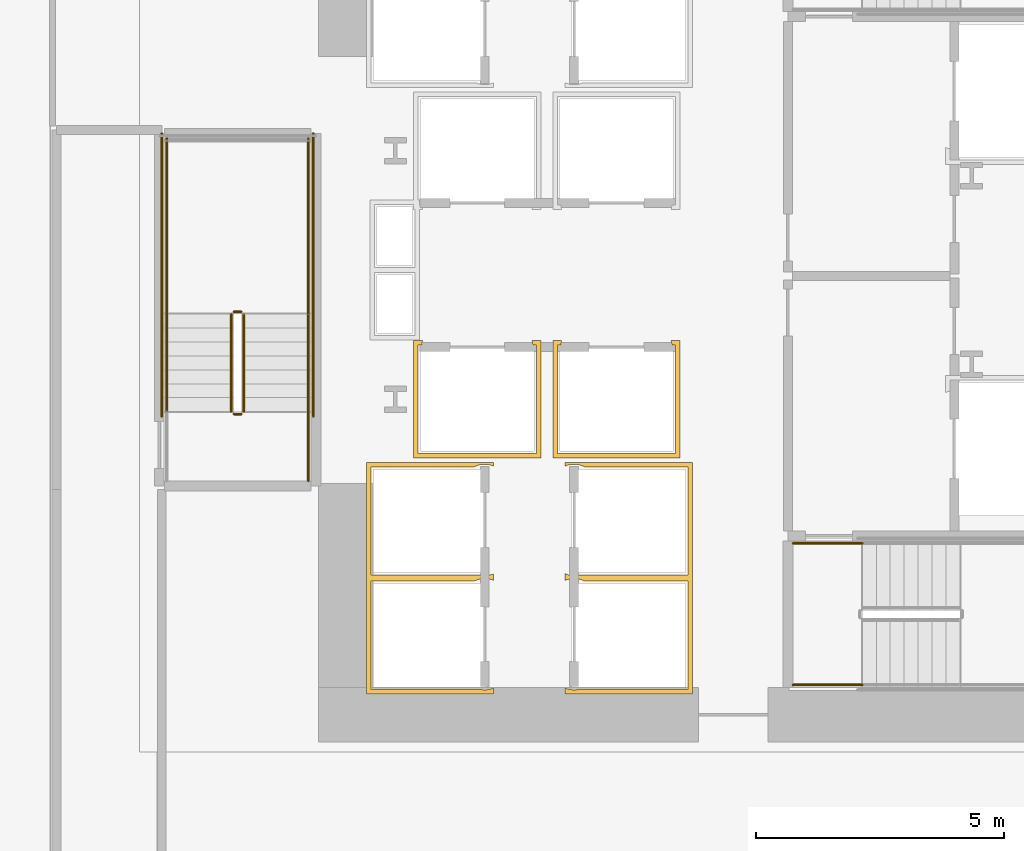
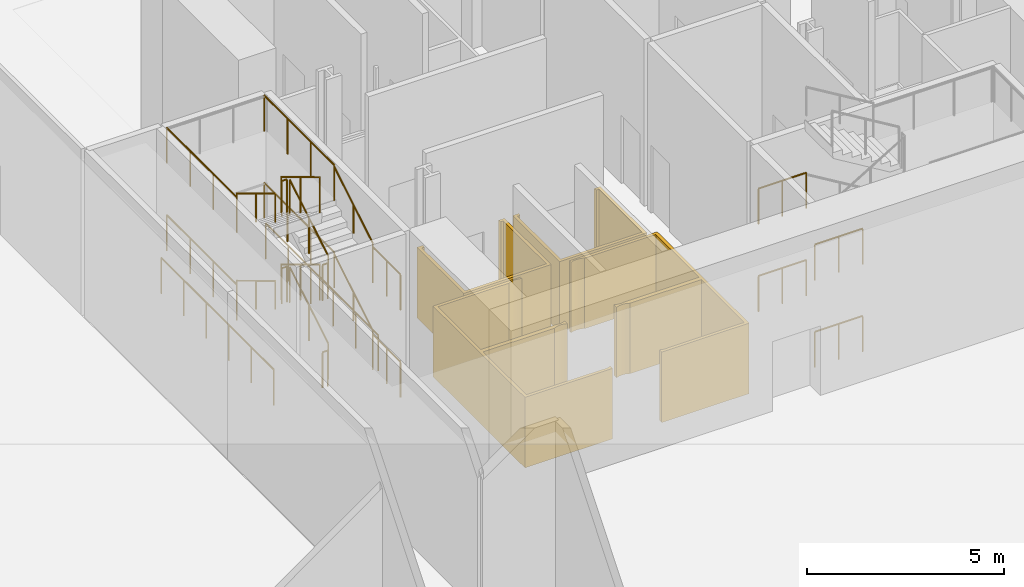
# One storey, part 11 of 18: 24 railings, 4 coverings.
"""IFC4 building model written with IfcOpenShell, lengths in metres."""

from ifc_helpers import new_model, si_unit, direction, frame, origin, origin_2d, place, context, subcontext, project, spatial, polyline, circle, outline, extrude, material, layer, layer_set, type_object, element, save


model = new_model("IFC4")

# Units and contexts
model_context = context("Model", 3, precision=1e-05, world=origin(), true_north=direction((0.0, 1.0)))
body_context = subcontext(model_context, "Body", "Model", "MODEL_VIEW")
ifc_project = project(units=[si_unit("LENGTHUNIT", "METRE"), si_unit("AREAUNIT", "SQUARE_METRE"), si_unit("VOLUMEUNIT", "CUBIC_METRE"), si_unit("PLANEANGLEUNIT", "RADIAN"), si_unit("MASSUNIT", "GRAM", prefix="KILO")], contexts=[model_context])

# Site, building, storey
site_placement = place(None, origin())
site = spatial("IfcSite", under=ifc_project, at=site_placement, CompositionType="ELEMENT")
building_placement = place(site_placement, origin())
building = spatial("IfcBuilding", under=site, at=building_placement, Name="Valkerne Bourse Tower", CompositionType="ELEMENT")
storey_placement = place(building_placement, origin())
storey = spatial("IfcBuildingStorey", under=building, at=storey_placement, Name="L00", CompositionType="ELEMENT", Elevation=0.0)

# Coverings
ifc_material_1 = material(Name="Gypsum Shaftwall Liner Board", Category="gypsum")
ifc_layer = layer(ifc_material_1, 0.080078125)
ifc_layer_set = layer_set([ifc_layer], Name="Gypsum Shaftwall Liner Board")
covering_type = type_object("IfcCoveringType", Name="COV-SHF-CLAD", PredefinedType="CLADDING", material=ifc_layer_set)
covering_1_placement = place(storey_placement, origin())
element("IfcCovering", 1, at=covering_1_placement, inside=storey, type_object=covering_type, Name="L00 Hoistway & Riser Shaftwall Liner 01", PredefinedType="CLADDING", context=body_context, shape_type="SweptSolid", body=[
    extrude(outline(polyline([(38.169921875, 23.1298828125), (40.72998046875, 23.1298828125), (40.72998046875, 23.052001953125), (40.72216796875, 23.0556640625), (40.6806640625, 23.070556640625), (40.6376953125, 23.081298828125), (40.593994140625, 23.087890625), (40.550048828125, 23.090087890625), (40.505859375, 23.087890625), (40.462158203125, 23.081298828125), (40.41943359375, 23.070556640625), (40.377685546875, 23.0556640625), (40.344482421875, 23.0400390625), (38.260009765625, 23.0400390625), (38.260009765625, 20.860107421875), (40.456787109375, 20.860107421875), (40.462158203125, 20.858642578125), (40.505859375, 20.852294921875), (40.550048828125, 20.85009765625), (40.593994140625, 20.852294921875), (40.6376953125, 20.858642578125), (40.6806640625, 20.869384765625), (40.72216796875, 20.88427734375), (40.72998046875, 20.887939453125), (40.72998046875, 20.830078125), (40.72998046875, 20.77001953125), (40.72998046875, 20.752197265625), (40.72216796875, 20.755615234375), (40.6806640625, 20.7705078125), (40.6376953125, 20.781494140625), (40.593994140625, 20.787841796875), (40.550048828125, 20.7900390625), (40.505859375, 20.787841796875), (40.462158203125, 20.781494140625), (40.41943359375, 20.7705078125), (40.377685546875, 20.755615234375), (40.344482421875, 20.739990234375), (38.260009765625, 20.739990234375), (38.260009765625, 18.56005859375), (40.456787109375, 18.56005859375), (40.462158203125, 18.55859375), (40.505859375, 18.55224609375), (40.550048828125, 18.550048828125), (40.593994140625, 18.55224609375), (40.6376953125, 18.55859375), (40.6806640625, 18.5693359375), (40.72216796875, 18.584228515625), (40.72998046875, 18.587890625), (40.72998046875, 18.469970703125), (38.169921875, 18.469970703125), (38.169921875, 20.77001953125), (38.169921875, 20.830078125), (38.169921875, 23.1298828125)])), origin(), (0.0, 0.0, 1.0), 2.179931640625),
])
covering_2_placement = place(storey_placement, origin())
element("IfcCovering", 2, at=covering_2_placement, inside=storey, type_object=covering_type, Name="L00 Hoistway & Riser Shaftwall Liner 02", PredefinedType="CLADDING", context=body_context, shape_type="SweptSolid", body=[
    extrude(outline(polyline([(41.679931640625, 23.219970703125), (39.1201171875, 23.219970703125), (39.1201171875, 25.580078125), (39.29931640625, 25.580078125), (39.28857421875, 25.537841796875), (39.2822265625, 25.494140625), (39.281982421875, 25.489990234375), (39.2099609375, 25.489990234375), (39.2099609375, 23.31005859375), (41.590087890625, 23.31005859375), (41.590087890625, 25.489990234375), (41.51806640625, 25.489990234375), (41.517822265625, 25.494140625), (41.511474609375, 25.537841796875), (41.500732421875, 25.580078125), (41.679931640625, 25.580078125), (41.679931640625, 23.219970703125)])), origin(), (0.0, 0.0, 1.0), 2.179931640625),
])
covering_3_placement = place(storey_placement, origin())
element("IfcCovering", 3, at=covering_3_placement, inside=storey, type_object=covering_type, Name="L00 Hoistway & Riser Shaftwall Liner 03", PredefinedType="CLADDING", context=body_context, shape_type="SweptSolid", body=[
    extrude(outline(polyline([(44.47998046875, 23.219970703125), (41.919921875, 23.219970703125), (41.919921875, 25.580078125), (42.09912109375, 25.580078125), (42.088623046875, 25.537841796875), (42.082275390625, 25.494140625), (42.08203125, 25.489990234375), (42.010009765625, 25.489990234375), (42.010009765625, 23.31005859375), (44.389892578125, 23.31005859375), (44.389892578125, 25.489990234375), (44.318115234375, 25.489990234375), (44.31787109375, 25.494140625), (44.311279296875, 25.537841796875), (44.30078125, 25.580078125), (44.47998046875, 25.580078125), (44.47998046875, 23.219970703125)])), origin(), (0.0, 0.0, 1.0), 2.179931640625),
])
covering_4_placement = place(storey_placement, origin())
element("IfcCovering", 4, at=covering_4_placement, inside=storey, type_object=covering_type, Name="L00 Hoistway & Riser Shaftwall Liner 06", PredefinedType="CLADDING", context=body_context, shape_type="SweptSolid", body=[
    extrude(outline(polyline([(42.169921875, 20.830078125), (42.169921875, 20.887939453125), (42.177734375, 20.88427734375), (42.219482421875, 20.869384765625), (42.26220703125, 20.858642578125), (42.305908203125, 20.852294921875), (42.35009765625, 20.85009765625), (42.39404296875, 20.852294921875), (42.437744140625, 20.858642578125), (42.443115234375, 20.860107421875), (44.639892578125, 20.860107421875), (44.639892578125, 23.0400390625), (42.555419921875, 23.0400390625), (42.522216796875, 23.0556640625), (42.480712890625, 23.070556640625), (42.437744140625, 23.081298828125), (42.39404296875, 23.087890625), (42.35009765625, 23.090087890625), (42.305908203125, 23.087890625), (42.26220703125, 23.081298828125), (42.219482421875, 23.070556640625), (42.177734375, 23.0556640625), (42.169921875, 23.052001953125), (42.169921875, 23.1298828125), (44.72998046875, 23.1298828125), (44.72998046875, 20.830078125), (44.72998046875, 20.77001953125), (44.72998046875, 18.469970703125), (42.169921875, 18.469970703125), (42.169921875, 18.587890625), (42.177734375, 18.584228515625), (42.219482421875, 18.5693359375), (42.26220703125, 18.55859375), (42.305908203125, 18.55224609375), (42.35009765625, 18.550048828125), (42.39404296875, 18.55224609375), (42.437744140625, 18.55859375), (42.443115234375, 18.56005859375), (44.639892578125, 18.56005859375), (44.639892578125, 20.739990234375), (42.555419921875, 20.739990234375), (42.522216796875, 20.755615234375), (42.480712890625, 20.7705078125), (42.437744140625, 20.781494140625), (42.39404296875, 20.787841796875), (42.35009765625, 20.7900390625), (42.305908203125, 20.787841796875), (42.26220703125, 20.781494140625), (42.219482421875, 20.7705078125), (42.177734375, 20.755615234375), (42.169921875, 20.752197265625), (42.169921875, 20.77001953125), (42.169921875, 20.830078125)])), origin(), (0.0, 0.0, 1.0), 2.179931640625),
])

# Railings
ifc_material_2 = material(Name="Galvanised Painted Steel", Category="steel")
railing_type_1 = type_object("IfcRailingType", Name="RLG-ST-GUARD-1120", PredefinedType="GUARDRAIL", material=ifc_material_2)
for number, where, name in (
    (5, (46.75, 18.64990234375, 2.699951171875), "L00 ST-1 stair guard 8"),
    (6, (46.75, 21.5, 2.699951171875), "L00 ST-1 stair guard 9"),
    (7, (46.75, 18.64990234375, 0.0), "L00 ST-1 stair guard 17"),
    (8, (46.75, 21.5, 0.0), "L00 ST-1 stair guard 18"),
):
    element("IfcRailing", number, at=place(storey_placement, frame(where)), inside=storey, type_object=railing_type_1, Name=name, PredefinedType="GUARDRAIL", context=body_context, shape_type="SweptSolid", body=[
        extrude(circle(Radius=0.02392578125, at=origin_2d()), frame((0.0, 0.0, 1.09619140625), z_axis=(1.0, 0.0, 0.0), x_axis=(0.0, 1.0, 0.0)), (0.0, 0.0, 1.0), 1.39990234375),
        extrude(circle(Radius=0.02099609375, at=origin_2d()), origin(), (0.0, 0.0, 1.0), 1.072021484375),
        extrude(circle(Radius=0.02099609375, at=origin_2d()), frame((0.699951171875, 0.0, 0.0)), (0.0, 0.0, 1.0), 1.072021484375),
        extrude(circle(Radius=0.02099609375, at=origin_2d()), frame((1.39990234375, 0.0, 0.0)), (0.0, 0.0, 1.0), 1.072021484375),
    ])
railing_1_placement = place(storey_placement, frame((35.699951171875, 24.14990234375, 0.168701171875)))
element("IfcRailing", 9, at=railing_1_placement, inside=storey, type_object=railing_type_1, Name="L00 ST-3 stair guard 1", PredefinedType="GUARDRAIL", context=body_context, shape_type="SweptSolid", body=[
    extrude(circle(Radius=0.02392578125, at=origin_2d()), frame((0.0, 0.0, 1.09619140625), z_axis=(0.0, 0.856474724393, 0.516188963923), x_axis=(-1.0, 0.0, 0.0)), (0.0, 0.0, 1.0), 2.28857421875),
    extrude(circle(Radius=0.02099609375, at=origin_2d()), origin(), (0.0, 0.0, 1.0), 1.072021484375),
    extrude(circle(Radius=0.02099609375, at=origin_2d()), frame((0.0, 0.97998046875, 0.5908203125)), (0.0, 0.0, 1.0), 1.072021484375),
    extrude(circle(Radius=0.02099609375, at=origin_2d()), frame((0.0, 1.960205078125, 1.181396484375)), (0.0, 0.0, 1.0), 1.072021484375),
])
railing_2_placement = place(storey_placement, frame((35.64990234375, 26.159912109375, 1.35009765625)))
element("IfcRailing", 10, at=railing_2_placement, inside=storey, type_object=railing_type_1, Name="L00 ST-3 stair guard 2", PredefinedType="GUARDRAIL", context=body_context, shape_type="SweptSolid", body=[
    extrude(circle(Radius=0.02392578125, at=origin_2d()), frame((0.0, 0.0, 1.09619140625), z_axis=(-1.0, 0.0, 0.0), x_axis=(0.0, -1.0, 0.0)), (0.0, 0.0, 1.0), 0.14990234375),
    extrude(circle(Radius=0.02099609375, at=origin_2d()), origin(), (0.0, 0.0, 1.0), 1.072021484375),
    extrude(circle(Radius=0.02099609375, at=origin_2d()), frame((-0.14990234375, 0.0, 0.0)), (0.0, 0.0, 1.0), 1.072021484375),
])
for number, where, name in (
    (11, (37.0, 26.110107421875, 1.35009765625), "L00 ST-3 stair guard 3"),
    (12, (34.14990234375, 26.110107421875, 1.35009765625), "L00 ST-3 stair guard 4"),
):
    element("IfcRailing", number, at=place(storey_placement, frame(where)), inside=storey, type_object=railing_type_1, Name=name, PredefinedType="GUARDRAIL", context=body_context, shape_type="SweptSolid", body=[
        extrude(circle(Radius=0.02392578125, at=origin_2d()), frame((0.0, 0.0, 1.09619140625), z_axis=(0.0, 1.0, 0.0), x_axis=(-1.0, 0.0, 0.0)), (0.0, 0.0, 1.0), 3.539794921875),
        extrude(circle(Radius=0.02099609375, at=origin_2d()), origin(), (0.0, 0.0, 1.0), 1.072021484375),
        extrude(circle(Radius=0.02099609375, at=origin_2d()), frame((0.0, 1.179931640625, 0.0)), (0.0, 0.0, 1.0), 1.072021484375),
        extrude(circle(Radius=0.02099609375, at=origin_2d()), frame((0.0, 2.35986328125, 0.0)), (0.0, 0.0, 1.0), 1.072021484375),
        extrude(circle(Radius=0.02099609375, at=origin_2d()), frame((0.0, 3.539794921875, 0.0)), (0.0, 0.0, 1.0), 1.072021484375),
    ])
railing_3_placement = place(storey_placement, frame((35.449951171875, 26.110107421875, 1.518798828125)))
element("IfcRailing", 13, at=railing_3_placement, inside=storey, type_object=railing_type_1, Name="L00 ST-3 stair guard 6", PredefinedType="GUARDRAIL", context=body_context, shape_type="SweptSolid", body=[
    extrude(circle(Radius=0.02392578125, at=origin_2d()), frame((0.0, 0.0, 1.09619140625), z_axis=(0.0, -0.856521883693, 0.516110707847), x_axis=(1.0, 0.0, 0.0)), (0.0, 0.0, 1.0), 2.28857421875),
    extrude(circle(Radius=0.02099609375, at=origin_2d()), origin(), (0.0, 0.0, 1.0), 1.072021484375),
    extrude(circle(Radius=0.02099609375, at=origin_2d()), frame((0.0, -0.97998046875, 0.590576171875)), (0.0, 0.0, 1.0), 1.072021484375),
    extrude(circle(Radius=0.02099609375, at=origin_2d()), frame((0.0, -1.960205078125, 1.18115234375)), (0.0, 0.0, 1.0), 1.072021484375),
])
railing_4_placement = place(storey_placement, frame((35.64990234375, 24.10009765625, 2.699951171875)))
element("IfcRailing", 14, at=railing_4_placement, inside=storey, type_object=railing_type_1, Name="L00 ST-3 stair guard 7", PredefinedType="GUARDRAIL", context=body_context, shape_type="SweptSolid", body=[
    extrude(circle(Radius=0.02392578125, at=origin_2d()), frame((0.0, 0.0, 1.09619140625), z_axis=(-1.0, 0.0, 0.0), x_axis=(0.0, -1.0, 0.0)), (0.0, 0.0, 1.0), 0.14990234375),
    extrude(circle(Radius=0.02099609375, at=origin_2d()), origin(), (0.0, 0.0, 1.0), 1.072021484375),
    extrude(circle(Radius=0.02099609375, at=origin_2d()), frame((-0.14990234375, 0.0, 0.0)), (0.0, 0.0, 1.0), 1.072021484375),
])
railing_5_placement = place(storey_placement, frame((37.0, 22.75, 2.699951171875)))
element("IfcRailing", 15, at=railing_5_placement, inside=storey, type_object=railing_type_1, Name="L00 ST-3 stair guard 8", PredefinedType="GUARDRAIL", context=body_context, shape_type="SweptSolid", body=[
    extrude(circle(Radius=0.02392578125, at=origin_2d()), frame((0.0, 0.0, 1.09619140625), z_axis=(0.0, 1.0, 0.0), x_axis=(-1.0, 0.0, 0.0)), (0.0, 0.0, 1.0), 1.39990234375),
    extrude(circle(Radius=0.02099609375, at=origin_2d()), origin(), (0.0, 0.0, 1.0), 1.072021484375),
    extrude(circle(Radius=0.02099609375, at=origin_2d()), frame((0.0, 0.699951171875, 0.0)), (0.0, 0.0, 1.0), 1.072021484375),
    extrude(circle(Radius=0.02099609375, at=origin_2d()), frame((0.0, 1.39990234375, 0.0)), (0.0, 0.0, 1.0), 1.072021484375),
])
railing_6_placement = place(storey_placement, frame((35.699951171875, 24.14990234375, 2.86865234375)))
element("IfcRailing", 16, at=railing_6_placement, inside=storey, type_object=railing_type_1, Name="L00 ST-3 stair guard 10", PredefinedType="GUARDRAIL", context=body_context, shape_type="SweptSolid", body=[
    extrude(circle(Radius=0.02392578125, at=origin_2d()), frame((0.0, 0.0, 1.09619140625), z_axis=(0.0, 0.856474724393, 0.516188963923), x_axis=(-1.0, 0.0, 0.0)), (0.0, 0.0, 1.0), 2.28857421875),
    extrude(circle(Radius=0.02099609375, at=origin_2d()), origin(), (0.0, 0.0, 1.0), 1.072021484375),
    extrude(circle(Radius=0.02099609375, at=origin_2d()), frame((0.0, 0.97998046875, 0.5908203125)), (0.0, 0.0, 1.0), 1.072021484375),
    extrude(circle(Radius=0.02099609375, at=origin_2d()), frame((0.0, 1.960205078125, 1.181396484375)), (0.0, 0.0, 1.0), 1.072021484375),
])
railing_7_placement = place(storey_placement, frame((35.64990234375, 26.159912109375, 4.050048828125)))
element("IfcRailing", 17, at=railing_7_placement, inside=storey, type_object=railing_type_1, Name="L00 ST-3 stair guard 11", PredefinedType="GUARDRAIL", context=body_context, shape_type="SweptSolid", body=[
    extrude(circle(Radius=0.02392578125, at=origin_2d()), frame((0.0, 0.0, 1.09619140625), z_axis=(-1.0, 0.0, 0.0), x_axis=(0.0, -1.0, 0.0)), (0.0, 0.0, 1.0), 0.14990234375),
    extrude(circle(Radius=0.02099609375, at=origin_2d()), origin(), (0.0, 0.0, 1.0), 1.072021484375),
    extrude(circle(Radius=0.02099609375, at=origin_2d()), frame((-0.14990234375, 0.0, 0.0)), (0.0, 0.0, 1.0), 1.072021484375),
])
for number, where, name in (
    (18, (37.0, 26.110107421875, 4.050048828125), "L00 ST-3 stair guard 12"),
    (19, (34.14990234375, 26.110107421875, 4.050048828125), "L00 ST-3 stair guard 13"),
):
    element("IfcRailing", number, at=place(storey_placement, frame(where)), inside=storey, type_object=railing_type_1, Name=name, PredefinedType="GUARDRAIL", context=body_context, shape_type="SweptSolid", body=[
        extrude(circle(Radius=0.02392578125, at=origin_2d()), frame((0.0, 0.0, 1.09619140625), z_axis=(0.0, 1.0, 0.0), x_axis=(-1.0, 0.0, 0.0)), (0.0, 0.0, 1.0), 3.539794921875),
        extrude(circle(Radius=0.02099609375, at=origin_2d()), origin(), (0.0, 0.0, 1.0), 1.072021484375),
        extrude(circle(Radius=0.02099609375, at=origin_2d()), frame((0.0, 1.179931640625, 0.0)), (0.0, 0.0, 1.0), 1.072021484375),
        extrude(circle(Radius=0.02099609375, at=origin_2d()), frame((0.0, 2.35986328125, 0.0)), (0.0, 0.0, 1.0), 1.072021484375),
        extrude(circle(Radius=0.02099609375, at=origin_2d()), frame((0.0, 3.539794921875, 0.0)), (0.0, 0.0, 1.0), 1.072021484375),
    ])
railing_8_placement = place(storey_placement, frame((35.449951171875, 26.110107421875, 4.21875)))
element("IfcRailing", 20, at=railing_8_placement, inside=storey, type_object=railing_type_1, Name="L00 ST-3 stair guard 15", PredefinedType="GUARDRAIL", context=body_context, shape_type="SweptSolid", body=[
    extrude(circle(Radius=0.02392578125, at=origin_2d()), frame((0.0, 0.0, 1.09619140625), z_axis=(0.0, -0.856521883693, 0.516110707847), x_axis=(1.0, 0.0, 0.0)), (0.0, 0.0, 1.0), 2.28857421875),
    extrude(circle(Radius=0.02099609375, at=origin_2d()), origin(), (0.0, 0.0, 1.0), 1.072021484375),
    extrude(circle(Radius=0.02099609375, at=origin_2d()), frame((0.0, -0.97998046875, 0.590576171875)), (0.0, 0.0, 1.0), 1.072021484375),
    extrude(circle(Radius=0.02099609375, at=origin_2d()), frame((0.0, -1.960205078125, 1.18115234375)), (0.0, 0.0, 1.0), 1.072021484375),
])
railing_9_placement = place(storey_placement, frame((35.64990234375, 24.10009765625, 0.0)))
element("IfcRailing", 21, at=railing_9_placement, inside=storey, type_object=railing_type_1, Name="L00 ST-3 stair guard 16", PredefinedType="GUARDRAIL", context=body_context, shape_type="SweptSolid", body=[
    extrude(circle(Radius=0.02392578125, at=origin_2d()), frame((0.0, 0.0, 1.09619140625), z_axis=(-1.0, 0.0, 0.0), x_axis=(0.0, -1.0, 0.0)), (0.0, 0.0, 1.0), 0.14990234375),
    extrude(circle(Radius=0.02099609375, at=origin_2d()), origin(), (0.0, 0.0, 1.0), 1.072021484375),
    extrude(circle(Radius=0.02099609375, at=origin_2d()), frame((-0.14990234375, 0.0, 0.0)), (0.0, 0.0, 1.0), 1.072021484375),
])
railing_10_placement = place(storey_placement, frame((37.0, 22.75, 0.0)))
element("IfcRailing", 22, at=railing_10_placement, inside=storey, type_object=railing_type_1, Name="L00 ST-3 stair guard 17", PredefinedType="GUARDRAIL", context=body_context, shape_type="SweptSolid", body=[
    extrude(circle(Radius=0.02392578125, at=origin_2d()), frame((0.0, 0.0, 1.09619140625), z_axis=(0.0, 1.0, 0.0), x_axis=(-1.0, 0.0, 0.0)), (0.0, 0.0, 1.0), 1.39990234375),
    extrude(circle(Radius=0.02099609375, at=origin_2d()), origin(), (0.0, 0.0, 1.0), 1.072021484375),
    extrude(circle(Radius=0.02099609375, at=origin_2d()), frame((0.0, 0.699951171875, 0.0)), (0.0, 0.0, 1.0), 1.072021484375),
    extrude(circle(Radius=0.02099609375, at=origin_2d()), frame((0.0, 1.39990234375, 0.0)), (0.0, 0.0, 1.0), 1.072021484375),
])
for number, where, name in (
    (23, (37.10009765625, 24.050048828125, 0.0), "L00 ST-3 stair guard 19"),
    (24, (34.050048828125, 24.050048828125, 0.0), "L00 ST-3 stair guard 20"),
):
    element("IfcRailing", number, at=place(storey_placement, frame(where)), inside=storey, type_object=railing_type_1, Name=name, PredefinedType="GUARDRAIL", context=body_context, shape_type="SweptSolid", body=[
        extrude(circle(Radius=0.02392578125, at=origin_2d()), frame((0.0, 0.0, 1.09619140625), z_axis=(0.0, 1.0, 0.0), x_axis=(-1.0, 0.0, 0.0)), (0.0, 0.0, 1.0), 5.699951171875),
        extrude(circle(Radius=0.02099609375, at=origin_2d()), origin(), (0.0, 0.0, 1.0), 1.072021484375),
        extrude(circle(Radius=0.02099609375, at=origin_2d()), frame((0.0, 1.139892578125, 0.0)), (0.0, 0.0, 1.0), 1.072021484375),
        extrude(circle(Radius=0.02099609375, at=origin_2d()), frame((0.0, 2.280029296875, 0.0)), (0.0, 0.0, 1.0), 1.072021484375),
        extrude(circle(Radius=0.02099609375, at=origin_2d()), frame((0.0, 3.419921875, 0.0)), (0.0, 0.0, 1.0), 1.072021484375),
        extrude(circle(Radius=0.02099609375, at=origin_2d()), frame((0.0, 4.56005859375, 0.0)), (0.0, 0.0, 1.0), 1.072021484375),
        extrude(circle(Radius=0.02099609375, at=origin_2d()), frame((0.0, 5.699951171875, 0.0)), (0.0, 0.0, 1.0), 1.072021484375),
    ])
ifc_material_3 = material(Name="Stainless Steel AISI 316", Category="steel")
railing_type_2 = type_object("IfcRailingType", Name="RLG-ST-HANDRAIL-900", PredefinedType="HANDRAIL", material=ifc_material_3)
railing_11_placement = place(storey_placement, frame((37.0, 24.14990234375, 0.33740234375)))
element("IfcRailing", 25, at=railing_11_placement, inside=storey, type_object=railing_type_2, Name="L00 ST-3 stair handrail 1", PredefinedType="HANDRAIL", context=body_context, shape_type="SweptSolid", body=[
    extrude(circle(Radius=0.02392578125, at=origin_2d()), frame((0.0, 0.0, 0.8759765625), z_axis=(0.0, 0.856474724393, 0.516188963923), x_axis=(-1.0, 0.0, 0.0)), (0.0, 0.0, 1.0), 2.28857421875),
    extrude(circle(Radius=0.02099609375, at=origin_2d()), origin(), (0.0, 0.0, 1.0), 0.851806640625),
    extrude(circle(Radius=0.02099609375, at=origin_2d()), frame((0.0, 0.97998046875, 0.5908203125)), (0.0, 0.0, 1.0), 0.851806640625),
    extrude(circle(Radius=0.02099609375, at=origin_2d()), frame((0.0, 1.960205078125, 1.181396484375)), (0.0, 0.0, 1.0), 0.851806640625),
])
railing_12_placement = place(storey_placement, frame((34.14990234375, 26.110107421875, 1.6875)))
element("IfcRailing", 26, at=railing_12_placement, inside=storey, type_object=railing_type_2, Name="L00 ST-3 stair handrail 2", PredefinedType="HANDRAIL", context=body_context, shape_type="SweptSolid", body=[
    extrude(circle(Radius=0.02392578125, at=origin_2d()), frame((0.0, 0.0, 0.8759765625), z_axis=(0.0, -0.856521883693, 0.516110707847), x_axis=(1.0, 0.0, 0.0)), (0.0, 0.0, 1.0), 2.28857421875),
    extrude(circle(Radius=0.02099609375, at=origin_2d()), origin(), (0.0, 0.0, 1.0), 0.851806640625),
    extrude(circle(Radius=0.02099609375, at=origin_2d()), frame((0.0, -0.97998046875, 0.590576171875)), (0.0, 0.0, 1.0), 0.851806640625),
    extrude(circle(Radius=0.02099609375, at=origin_2d()), frame((0.0, -1.960205078125, 1.18115234375)), (0.0, 0.0, 1.0), 0.851806640625),
])
railing_13_placement = place(storey_placement, frame((37.0, 24.14990234375, 3.03759765625)))
element("IfcRailing", 27, at=railing_13_placement, inside=storey, type_object=railing_type_2, Name="L00 ST-3 stair handrail 3", PredefinedType="HANDRAIL", context=body_context, shape_type="SweptSolid", body=[
    extrude(circle(Radius=0.02392578125, at=origin_2d()), frame((0.0, 0.0, 0.8759765625), z_axis=(0.0, 0.856521883693, 0.516110707847), x_axis=(-1.0, 0.0, 0.0)), (0.0, 0.0, 1.0), 2.28857421875),
    extrude(circle(Radius=0.02099609375, at=origin_2d()), origin(), (0.0, 0.0, 1.0), 0.851806640625),
    extrude(circle(Radius=0.02099609375, at=origin_2d()), frame((0.0, 0.97998046875, 0.590576171875)), (0.0, 0.0, 1.0), 0.851806640625),
    extrude(circle(Radius=0.02099609375, at=origin_2d()), frame((0.0, 1.960205078125, 1.18115234375)), (0.0, 0.0, 1.0), 0.851806640625),
])
railing_14_placement = place(storey_placement, frame((34.14990234375, 26.110107421875, 4.387451171875)))
element("IfcRailing", 28, at=railing_14_placement, inside=storey, type_object=railing_type_2, Name="L00 ST-3 stair handrail 4", PredefinedType="HANDRAIL", context=body_context, shape_type="SweptSolid", body=[
    extrude(circle(Radius=0.02392578125, at=origin_2d()), frame((0.0, 0.0, 0.8759765625), z_axis=(0.0, -0.856474724393, 0.516188963923), x_axis=(1.0, 0.0, 0.0)), (0.0, 0.0, 1.0), 2.28857421875),
    extrude(circle(Radius=0.02099609375, at=origin_2d()), origin(), (0.0, 0.0, 1.0), 0.851806640625),
    extrude(circle(Radius=0.02099609375, at=origin_2d()), frame((0.0, -0.97998046875, 0.5908203125)), (0.0, 0.0, 1.0), 0.851806640625),
    extrude(circle(Radius=0.02099609375, at=origin_2d()), frame((0.0, -1.960205078125, 1.181396484375)), (0.0, 0.0, 1.0), 0.851806640625),
])

save(model, "model.ifc")
